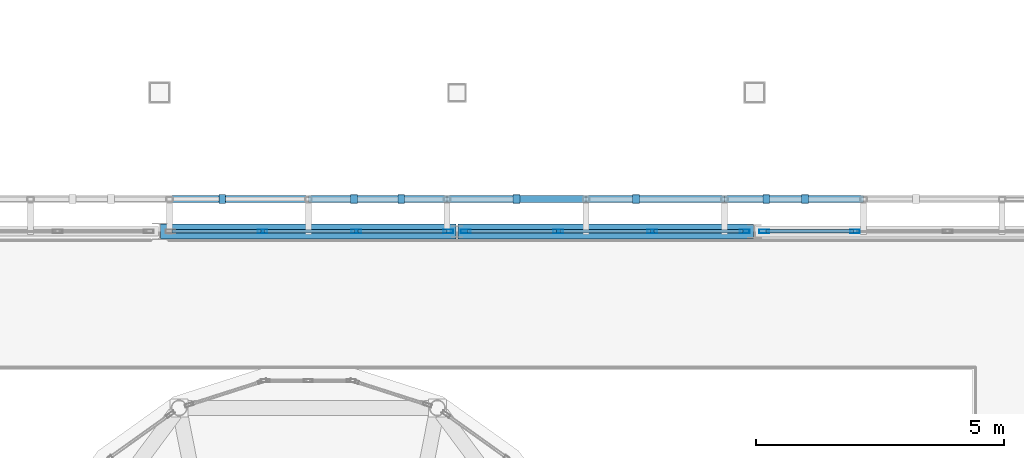
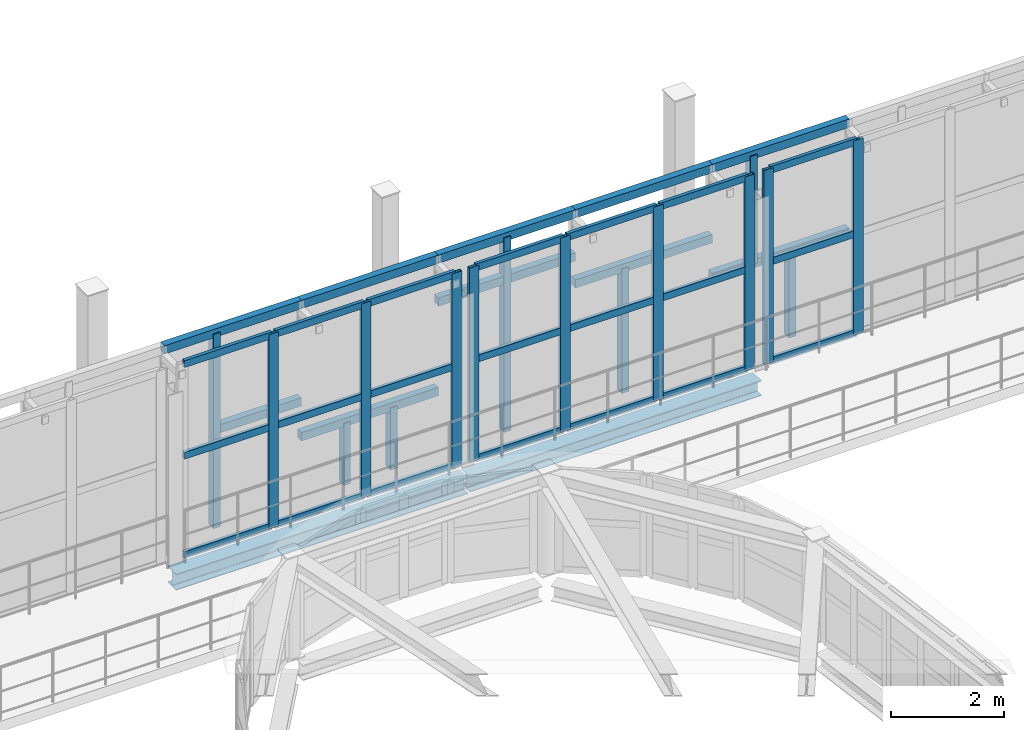
# One storey, part 39 of 78: 47 members, 2 beams, 3 elements without a shape of their own.
"""IFC4 building model written with IfcOpenShell, lengths in metres."""

from ifc_helpers import new_model, si_unit, direction, frame, origin, origin_2d, place, context, subcontext, project, spatial, rectangle, hollow_rectangle, i_section, extrude, material, layer, layer_set, material_profile, profile_set, type_object, element, aggregate, save


model = new_model("IFC4")

# Units and contexts
model_context = context("Model", 3, precision=1e-05, world=origin(), true_north=direction((0.0, 1.0)))
body_context = subcontext(model_context, "Body", "Model", "MODEL_VIEW")
ifc_project = project(units=[si_unit("LENGTHUNIT", "METRE"), si_unit("AREAUNIT", "SQUARE_METRE"), si_unit("VOLUMEUNIT", "CUBIC_METRE"), si_unit("PLANEANGLEUNIT", "RADIAN"), si_unit("MASSUNIT", "GRAM", prefix="KILO")], contexts=[model_context])

# Site, building, storey
site_placement = place(None, origin())
site = spatial("IfcSite", under=ifc_project, at=site_placement, CompositionType="ELEMENT")
building_placement = place(site_placement, origin())
building = spatial("IfcBuilding", under=site, at=building_placement, Name="Vinh Khe Railworks Police Headquarters", CompositionType="ELEMENT")
storey_placement = place(building_placement, frame((0.0, 0.0, 13.199951171875)))
storey = spatial("IfcBuildingStorey", under=building, at=storey_placement, Name="L03", CompositionType="ELEMENT", Elevation=13.199951171875)

# Members
ifc_material_1 = material(Name="Salvaged ironwood timber", Category="wood")
ifc_material_profile_1 = material_profile(ifc_material_1, rectangle(XDim=0.139892578125, YDim=0.179931640625, at=origin_2d()), Name="TIMBER 140x180")
ifc_profile_set_1 = profile_set([ifc_material_profile_1], Name="Salvaged ironwood timber")
member_type_1 = type_object("IfcMemberType", Name="MEM-QUILT-STILE", PredefinedType="CHORD", material=ifc_profile_set_1)
member_1_placement = place(storey_placement, frame((40.39990234375, 59.449951171875, 4.1201171875), z_axis=(1.0, 0.0, 0.0), x_axis=(0.0, 1.0, 0.0)))
element("IfcMember", 1, at=member_1_placement, inside=storey, type_object=member_type_1, Name="Salvaged Timber Quilt Transom N-L03-05-TOP", PredefinedType="CHORD", context=body_context, shape_type="SweptSolid", body=[
    extrude(rectangle(XDim=0.139892578125, YDim=0.179931640625, at=origin_2d()), origin(), (0.0, 0.0, 1.0), 2.800048828125),
])
member_2_placement = place(storey_placement, frame((41.464111328125, 59.449951171875, -0.079833984375), z_axis=(0.0, 0.0, 1.0), x_axis=(1.0, 0.0, 0.0)))
element("IfcMember", 2, at=member_2_placement, inside=storey, type_object=member_type_1, Name="Salvaged Timber Quilt Stile N-L03-05-V1", PredefinedType="POST", context=body_context, shape_type="SweptSolid", body=[
    extrude(rectangle(XDim=0.139892578125, YDim=0.179931640625, at=origin_2d()), origin(), (0.0, 0.0, 1.0), 4.199951171875),
])
member_3_placement = place(storey_placement, frame((41.464111328125, 59.449951171875, 2.01611328125), z_axis=(1.0, 0.0, 0.0), x_axis=(0.0, 1.0, 0.0)))
element("IfcMember", 3, at=member_3_placement, inside=storey, type_object=member_type_1, Name="Salvaged Timber Quilt Transom N-L03-05-M1", PredefinedType="CHORD", context=body_context, shape_type="SweptSolid", body=[
    extrude(rectangle(XDim=0.139892578125, YDim=0.179931640625, at=origin_2d()), origin(), (0.0, 0.0, 1.0), 1.73583984375),
])
for number, where, z_axis, x_axis, name in (
    (4, (43.199951171875, 59.449951171875, 4.1201171875), (1.0, 0.0, 0.0), (0.0, 1.0, 0.0), "Salvaged Timber Quilt Transom N-L03-06-TOP"),
    (5, (43.199951171875, 59.449951171875, 1.260009765625), (1.0, 0.0, 0.0), (0.0, 1.0, 0.0), "Salvaged Timber Quilt Transom N-L03-06-M1"),
):
    element("IfcMember", number, at=place(storey_placement, frame(where, z_axis=z_axis, x_axis=x_axis)), inside=storey, type_object=member_type_1, Name=name, PredefinedType="CHORD", context=body_context, shape_type="SweptSolid", body=[
        extrude(rectangle(XDim=0.139892578125, YDim=0.179931640625, at=origin_2d()), origin(), (0.0, 0.0, 1.0), 2.800048828125),
    ])
for number, where, z_axis, x_axis, name in (
    (6, (44.1240234375, 59.449951171875, -0.079833984375), (0.0, 0.0, 1.0), (1.0, 0.0, 0.0), "Salvaged Timber Quilt Stile N-L03-06-V1"),
    (7, (45.075927734375, 59.449951171875, -0.079833984375), (0.0, 0.0, 1.0), (1.0, 0.0, 0.0), "Salvaged Timber Quilt Stile N-L03-06-V2"),
):
    element("IfcMember", number, at=place(storey_placement, frame(where, z_axis=z_axis, x_axis=x_axis)), inside=storey, type_object=member_type_1, Name=name, PredefinedType="POST", context=body_context, shape_type="SweptSolid", body=[
        extrude(rectangle(XDim=0.139892578125, YDim=0.179931640625, at=origin_2d()), origin(), (0.0, 0.0, 1.0), 1.33984375),
    ])
for number, where, z_axis, x_axis, name in (
    (8, (46.0, 59.449951171875, 4.1201171875), (1.0, 0.0, 0.0), (0.0, 1.0, 0.0), "Salvaged Timber Quilt Transom N-L03-07-TOP"),
    (9, (46.0, 59.449951171875, 3.192138671875), (1.0, 0.0, 0.0), (0.0, 1.0, 0.0), "Salvaged Timber Quilt Transom N-L03-07-M1"),
):
    element("IfcMember", number, at=place(storey_placement, frame(where, z_axis=z_axis, x_axis=x_axis)), inside=storey, type_object=member_type_1, Name=name, PredefinedType="CHORD", context=body_context, shape_type="SweptSolid", body=[
        extrude(rectangle(XDim=0.139892578125, YDim=0.179931640625, at=origin_2d()), origin(), (0.0, 0.0, 1.0), 2.800048828125),
    ])
member_4_placement = place(storey_placement, frame((47.39990234375, 59.449951171875, -0.079833984375), z_axis=(0.0, 0.0, 1.0), x_axis=(1.0, 0.0, 0.0)))
element("IfcMember", 10, at=member_4_placement, inside=storey, type_object=member_type_1, Name="Salvaged Timber Quilt Stile N-L03-07-V1", PredefinedType="POST", context=body_context, shape_type="SweptSolid", body=[
    extrude(rectangle(XDim=0.139892578125, YDim=0.179931640625, at=origin_2d()), origin(), (0.0, 0.0, 1.0), 4.199951171875),
])
for number, where, z_axis, x_axis, name in (
    (11, (48.800048828125, 59.449951171875, 4.1201171875), (1.0, 0.0, 0.0), (0.0, 1.0, 0.0), "Salvaged Timber Quilt Transom N-L03-08-TOP"),
    (12, (48.800048828125, 59.449951171875, 2.60400390625), (1.0, 0.0, 0.0), (0.0, 1.0, 0.0), "Salvaged Timber Quilt Transom N-L03-08-M1"),
):
    element("IfcMember", number, at=place(storey_placement, frame(where, z_axis=z_axis, x_axis=x_axis)), inside=storey, type_object=member_type_1, Name=name, PredefinedType="CHORD", context=body_context, shape_type="SweptSolid", body=[
        extrude(rectangle(XDim=0.139892578125, YDim=0.179931640625, at=origin_2d()), origin(), (0.0, 0.0, 1.0), 2.800048828125),
    ])
member_5_placement = place(storey_placement, frame((49.80810546875, 59.449951171875, -0.079833984375), z_axis=(0.0, 0.0, 1.0), x_axis=(1.0, 0.0, 0.0)))
element("IfcMember", 13, at=member_5_placement, inside=storey, type_object=member_type_1, Name="Salvaged Timber Quilt Stile N-L03-08-V1", PredefinedType="POST", context=body_context, shape_type="SweptSolid", body=[
    extrude(rectangle(XDim=0.139892578125, YDim=0.179931640625, at=origin_2d()), origin(), (0.0, 0.0, 1.0), 2.683837890625),
])
for number, where, z_axis, x_axis, name in (
    (14, (51.60009765625, 59.449951171875, 4.1201171875), (1.0, 0.0, 0.0), (0.0, 1.0, 0.0), "Salvaged Timber Quilt Transom N-L03-09-TOP"),
    (15, (51.60009765625, 59.449951171875, 1.76416015625), (1.0, 0.0, 0.0), (0.0, 1.0, 0.0), "Salvaged Timber Quilt Transom N-L03-09-M1"),
):
    element("IfcMember", number, at=place(storey_placement, frame(where, z_axis=z_axis, x_axis=x_axis)), inside=storey, type_object=member_type_1, Name=name, PredefinedType="CHORD", context=body_context, shape_type="SweptSolid", body=[
        extrude(rectangle(XDim=0.139892578125, YDim=0.179931640625, at=origin_2d()), origin(), (0.0, 0.0, 1.0), 2.7998046875),
    ])
member_6_placement = place(storey_placement, frame((53.22412109375, 59.449951171875, -0.079833984375), z_axis=(0.0, 0.0, 1.0), x_axis=(1.0, 0.0, 0.0)))
element("IfcMember", 16, at=member_6_placement, inside=storey, type_object=member_type_1, Name="Salvaged Timber Quilt Stile N-L03-09-V1", PredefinedType="POST", context=body_context, shape_type="SweptSolid", body=[
    extrude(rectangle(XDim=0.139892578125, YDim=0.179931640625, at=origin_2d()), origin(), (0.0, 0.0, 1.0), 1.843994140625),
])
member_7_placement = place(storey_placement, frame((52.43994140625, 59.449951171875, 1.76416015625), z_axis=(0.0, 0.0, 1.0), x_axis=(1.0, 0.0, 0.0)))
element("IfcMember", 17, at=member_7_placement, inside=storey, type_object=member_type_1, Name="Salvaged Timber Quilt Stile N-L03-09-V2", PredefinedType="POST", context=body_context, shape_type="SweptSolid", body=[
    extrude(rectangle(XDim=0.139892578125, YDim=0.179931640625, at=origin_2d()), origin(), (0.0, 0.0, 1.0), 2.35595703125),
])

# Curtain wall, members
ifc_material_2 = material(Name="Anodised aluminium and low-iron glass", Category="aluminium")
ifc_layer = layer(ifc_material_2, 0.179931640625)
ifc_layer_set = layer_set([ifc_layer], Name="Anodised aluminium and low-iron glass")
curtain_wall_type = type_object("IfcCurtainWallType", Name="CW-CUBE-UNIT", PredefinedType="USERDEFINED", material=ifc_layer_set)
curtain_wall_1_placement = place(storey_placement, origin())
curtain_wall_1 = element("IfcCurtainWall", 18, at=curtain_wall_1_placement, inside=storey, type_object=curtain_wall_type, Name="Entrance Hall Curtain Wall L03 N-3", ObjectType="UNITISED GLAZING", PredefinedType="USERDEFINED")
ifc_material_3 = material(Name="Anodised aluminium 6063-T6", Category="aluminium")
ifc_material_profile_2 = material_profile(ifc_material_3, hollow_rectangle(XDim=0.070068359375, YDim=0.199951171875, WallThickness=0.0048828125, at=origin_2d()), Name="CW-M 70x200x5")
ifc_profile_set_2 = profile_set([ifc_material_profile_2], Name="Anodised aluminium 6063-T6")
member_type_2 = type_object("IfcMemberType", Name="MULL-CWM-03", PredefinedType="MULLION", material=ifc_profile_set_2)
member_8_placement = place(storey_placement, frame((42.276611328125, 58.800048828125, 0.0), z_axis=(0.0, 0.0, 1.0), x_axis=(0.0, 1.0, 0.0)))
member_8 = element("IfcMember", 19, at=member_8_placement, type_object=member_type_2, Name="CW-01 mullion 2", PredefinedType="MULLION", context=body_context, shape_type="SweptSolid", body=[
    extrude(hollow_rectangle(XDim=0.070068359375, YDim=0.199951171875, WallThickness=0.0048828125, at=origin_2d()), origin(), (0.0, 0.0, 1.0), 4.199951171875),
])
member_9_placement = place(storey_placement, frame((44.168212890625, 58.800048828125, 0.0), z_axis=(0.0, 0.0, 1.0), x_axis=(0.0, 1.0, 0.0)))
member_9 = element("IfcMember", 20, at=member_9_placement, type_object=member_type_2, Name="CW-01 mullion 3", PredefinedType="MULLION", context=body_context, shape_type="SweptSolid", body=[
    extrude(hollow_rectangle(XDim=0.070068359375, YDim=0.199951171875, WallThickness=0.0048828125, at=origin_2d()), origin(), (0.0, 0.0, 1.0), 4.199951171875),
])
member_10_placement = place(storey_placement, frame((46.02490234375, 58.800048828125, 0.0), z_axis=(0.0, 0.0, 1.0), x_axis=(0.0, 1.0, 0.0)))
member_10 = element("IfcMember", 21, at=member_10_placement, type_object=member_type_2, Name="CW-01 mullion 4", PredefinedType="MULLION", context=body_context, shape_type="SweptSolid", body=[
    extrude(hollow_rectangle(XDim=0.070068359375, YDim=0.199951171875, WallThickness=0.0048828125, at=origin_2d()), origin(), (0.0, 0.0, 1.0), 4.199951171875),
])

curtain_wall_2_placement = place(storey_placement, origin())
curtain_wall_2 = element("IfcCurtainWall", 22, at=curtain_wall_2_placement, inside=storey, type_object=curtain_wall_type, Name="Entrance Hall Curtain Wall L03 N-4", ObjectType="UNITISED GLAZING", PredefinedType="USERDEFINED")
member_11_placement = place(storey_placement, frame((46.375, 58.800048828125, 0.0), z_axis=(0.0, 0.0, 1.0), x_axis=(0.0, 1.0, 0.0)))
member_11 = element("IfcMember", 23, at=member_11_placement, type_object=member_type_2, Name="CW-01 mullion 1", PredefinedType="MULLION", context=body_context, shape_type="SweptSolid", body=[
    extrude(hollow_rectangle(XDim=0.070068359375, YDim=0.199951171875, WallThickness=0.0048828125, at=origin_2d()), origin(), (0.0, 0.0, 1.0), 4.199951171875),
])
member_12_placement = place(storey_placement, frame((48.239990234375, 58.800048828125, 0.0), z_axis=(0.0, 0.0, 1.0), x_axis=(0.0, 1.0, 0.0)))
member_12 = element("IfcMember", 24, at=member_12_placement, type_object=member_type_2, Name="CW-01 mullion 2", PredefinedType="MULLION", context=body_context, shape_type="SweptSolid", body=[
    extrude(hollow_rectangle(XDim=0.070068359375, YDim=0.199951171875, WallThickness=0.0048828125, at=origin_2d()), origin(), (0.0, 0.0, 1.0), 4.199951171875),
])
member_13_placement = place(storey_placement, frame((50.139892578125, 58.800048828125, 0.0), z_axis=(0.0, 0.0, 1.0), x_axis=(0.0, 1.0, 0.0)))
member_13 = element("IfcMember", 25, at=member_13_placement, type_object=member_type_2, Name="CW-01 mullion 3", PredefinedType="MULLION", context=body_context, shape_type="SweptSolid", body=[
    extrude(hollow_rectangle(XDim=0.070068359375, YDim=0.199951171875, WallThickness=0.0048828125, at=origin_2d()), origin(), (0.0, 0.0, 1.0), 4.199951171875),
])
member_14_placement = place(storey_placement, frame((52.0048828125, 58.800048828125, 0.0), z_axis=(0.0, 0.0, 1.0), x_axis=(0.0, 1.0, 0.0)))
member_14 = element("IfcMember", 26, at=member_14_placement, type_object=member_type_2, Name="CW-01 mullion 4", PredefinedType="MULLION", context=body_context, shape_type="SweptSolid", body=[
    extrude(hollow_rectangle(XDim=0.070068359375, YDim=0.199951171875, WallThickness=0.0048828125, at=origin_2d()), origin(), (0.0, 0.0, 1.0), 4.199951171875),
])

curtain_wall_3_placement = place(storey_placement, origin())
curtain_wall_3 = element("IfcCurtainWall", 27, at=curtain_wall_3_placement, inside=storey, type_object=curtain_wall_type, Name="Entrance Hall Curtain Wall L03 N-5", ObjectType="UNITISED GLAZING", PredefinedType="USERDEFINED")
member_15_placement = place(storey_placement, frame((52.39501953125, 58.800048828125, 0.0), z_axis=(0.0, 0.0, 1.0), x_axis=(0.0, 1.0, 0.0)))
member_15 = element("IfcMember", 28, at=member_15_placement, type_object=member_type_2, Name="CW-01 mullion 1", PredefinedType="MULLION", context=body_context, shape_type="SweptSolid", body=[
    extrude(hollow_rectangle(XDim=0.070068359375, YDim=0.199951171875, WallThickness=0.0048828125, at=origin_2d()), origin(), (0.0, 0.0, 1.0), 4.199951171875),
])
member_16_placement = place(storey_placement, frame((54.22998046875, 58.800048828125, 0.0), z_axis=(0.0, 0.0, 1.0), x_axis=(0.0, 1.0, 0.0)))
member_16 = element("IfcMember", 29, at=member_16_placement, type_object=member_type_2, Name="CW-01 mullion 2", PredefinedType="MULLION", context=body_context, shape_type="SweptSolid", body=[
    extrude(hollow_rectangle(XDim=0.070068359375, YDim=0.199951171875, WallThickness=0.0048828125, at=origin_2d()), origin(), (0.0, 0.0, 1.0), 4.199951171875),
])

# Beams
ifc_material_4 = material(Name="Steel S355JR", Category="steel")
ifc_material_profile_3 = material_profile(ifc_material_4, i_section(OverallWidth=0.300048828125, OverallDepth=0.330078125, WebThickness=0.009521484375, FlangeThickness=0.0166015625, FilletRadius=0.027099609375, at=origin_2d()), Name="HEA 340")
ifc_profile_set_3 = profile_set([ifc_material_profile_3], Name="Steel S355JR")
beam_type_1 = type_object("IfcBeamType", Name="Steel Girder HEA 340", PredefinedType="BEAM", material=ifc_profile_set_3)
beam_1_placement = place(storey_placement, frame((46.219970703125, 58.800048828125, -0.385009765625), z_axis=(1.0, 0.0, 0.0), x_axis=(0.0, 1.0, 0.0)))
element("IfcBeam", 30, at=beam_1_placement, inside=storey, type_object=beam_type_1, Name="Girder BM-L03-EW-SB-16-1064", PredefinedType="BEAM", context=body_context, shape_type="SweptSolid", body=[
    extrude(i_section(OverallWidth=0.300048828125, OverallDepth=0.330078125, WebThickness=0.009521484375, FlangeThickness=0.0166015625, FilletRadius=0.027099609375, at=origin_2d()), origin(), (0.0, 0.0, 1.0), 5.9599609375),
])
ifc_material_profile_4 = material_profile(ifc_material_4, i_section(OverallWidth=0.300048828125, OverallDepth=0.35009765625, WebThickness=0.010009765625, FlangeThickness=0.017578125, FilletRadius=0.027099609375, at=origin_2d()), Name="HEA 360")
ifc_profile_set_4 = profile_set([ifc_material_profile_4], Name="Steel S355JR")
beam_type_2 = type_object("IfcBeamType", Name="Steel Girder HEA 360", PredefinedType="BEAM", material=ifc_profile_set_4)
beam_2_placement = place(storey_placement, frame((40.219970703125, 58.800048828125, -0.39501953125), z_axis=(1.0, 0.0, 0.0), x_axis=(0.0, 1.0, 0.0)))
element("IfcBeam", 31, at=beam_2_placement, inside=storey, type_object=beam_type_2, Name="Girder BM-L03-EW-SB-15-1063", PredefinedType="BEAM", context=body_context, shape_type="SweptSolid", body=[
    extrude(i_section(OverallWidth=0.300048828125, OverallDepth=0.35009765625, WebThickness=0.010009765625, FlangeThickness=0.017578125, FilletRadius=0.027099609375, at=origin_2d()), origin(), (0.0, 0.0, 1.0), 5.9599609375),
])

# Member
ifc_material_profile_5 = material_profile(ifc_material_3, hollow_rectangle(XDim=0.070068359375, YDim=0.14990234375, WallThickness=0.0048828125, at=origin_2d()), Name="CW-T 70x150x5")
ifc_profile_set_5 = profile_set([ifc_material_profile_5], Name="Anodised aluminium 6063-T6")
member_type_3 = type_object("IfcMemberType", Name="TRAN-CWT-03", PredefinedType="USERDEFINED", material=ifc_profile_set_5)
member_17_placement = place(storey_placement, frame((40.455078125, 58.800048828125, 0.03515625), z_axis=(1.0, 0.0, 0.0), x_axis=(0.0, 1.0, 0.0)))
member_17 = element("IfcMember", 32, at=member_17_placement, type_object=member_type_3, Name="CW-01 transom 1.1", ObjectType="TRANSOM", PredefinedType="USERDEFINED", context=body_context, shape_type="SweptSolid", body=[
    extrude(hollow_rectangle(XDim=0.070068359375, YDim=0.14990234375, WallThickness=0.0048828125, at=origin_2d()), origin(), (0.0, 0.0, 1.0), 1.78662109375),
])

member_18_placement = place(storey_placement, frame((40.455078125, 58.800048828125, 2.18408203125), z_axis=(1.0, 0.0, 0.0), x_axis=(0.0, 1.0, 0.0)))
member_18 = element("IfcMember", 33, at=member_18_placement, type_object=member_type_3, Name="CW-01 transom 1.2", ObjectType="TRANSOM", PredefinedType="USERDEFINED", context=body_context, shape_type="SweptSolid", body=[
    extrude(hollow_rectangle(XDim=0.070068359375, YDim=0.14990234375, WallThickness=0.0048828125, at=origin_2d()), origin(), (0.0, 0.0, 1.0), 1.78662109375),
])

member_19_placement = place(storey_placement, frame((40.455078125, 58.800048828125, 4.1650390625), z_axis=(1.0, 0.0, 0.0), x_axis=(0.0, 1.0, 0.0)))
member_19 = element("IfcMember", 34, at=member_19_placement, type_object=member_type_3, Name="CW-01 transom 1.3", ObjectType="TRANSOM", PredefinedType="USERDEFINED", context=body_context, shape_type="SweptSolid", body=[
    extrude(hollow_rectangle(XDim=0.070068359375, YDim=0.14990234375, WallThickness=0.0048828125, at=origin_2d()), origin(), (0.0, 0.0, 1.0), 1.78662109375),
])

member_20_placement = place(storey_placement, frame((42.311767578125, 58.800048828125, 0.03515625), z_axis=(1.0, 0.0, 0.0), x_axis=(0.0, 1.0, 0.0)))
member_20 = element("IfcMember", 35, at=member_20_placement, type_object=member_type_3, Name="CW-01 transom 2.1", ObjectType="TRANSOM", PredefinedType="USERDEFINED", context=body_context, shape_type="SweptSolid", body=[
    extrude(hollow_rectangle(XDim=0.070068359375, YDim=0.14990234375, WallThickness=0.0048828125, at=origin_2d()), origin(), (0.0, 0.0, 1.0), 1.821533203125),
])

member_21_placement = place(storey_placement, frame((42.311767578125, 58.800048828125, 2.18408203125), z_axis=(1.0, 0.0, 0.0), x_axis=(0.0, 1.0, 0.0)))
member_21 = element("IfcMember", 36, at=member_21_placement, type_object=member_type_3, Name="CW-01 transom 2.2", ObjectType="TRANSOM", PredefinedType="USERDEFINED", context=body_context, shape_type="SweptSolid", body=[
    extrude(hollow_rectangle(XDim=0.070068359375, YDim=0.14990234375, WallThickness=0.0048828125, at=origin_2d()), origin(), (0.0, 0.0, 1.0), 1.821533203125),
])

member_22_placement = place(storey_placement, frame((42.311767578125, 58.800048828125, 4.1650390625), z_axis=(1.0, 0.0, 0.0), x_axis=(0.0, 1.0, 0.0)))
member_22 = element("IfcMember", 37, at=member_22_placement, type_object=member_type_3, Name="CW-01 transom 2.3", ObjectType="TRANSOM", PredefinedType="USERDEFINED", context=body_context, shape_type="SweptSolid", body=[
    extrude(hollow_rectangle(XDim=0.070068359375, YDim=0.14990234375, WallThickness=0.0048828125, at=origin_2d()), origin(), (0.0, 0.0, 1.0), 1.821533203125),
])

member_23_placement = place(storey_placement, frame((44.203369140625, 58.800048828125, 0.03515625), z_axis=(1.0, 0.0, 0.0), x_axis=(0.0, 1.0, 0.0)))
member_23 = element("IfcMember", 38, at=member_23_placement, type_object=member_type_3, Name="CW-01 transom 3.1", ObjectType="TRANSOM", PredefinedType="USERDEFINED", context=body_context, shape_type="SweptSolid", body=[
    extrude(hollow_rectangle(XDim=0.070068359375, YDim=0.14990234375, WallThickness=0.0048828125, at=origin_2d()), origin(), (0.0, 0.0, 1.0), 1.78662109375),
])

member_24_placement = place(storey_placement, frame((44.203369140625, 58.800048828125, 2.18408203125), z_axis=(1.0, 0.0, 0.0), x_axis=(0.0, 1.0, 0.0)))
member_24 = element("IfcMember", 39, at=member_24_placement, type_object=member_type_3, Name="CW-01 transom 3.2", ObjectType="TRANSOM", PredefinedType="USERDEFINED", context=body_context, shape_type="SweptSolid", body=[
    extrude(hollow_rectangle(XDim=0.070068359375, YDim=0.14990234375, WallThickness=0.0048828125, at=origin_2d()), origin(), (0.0, 0.0, 1.0), 1.78662109375),
])

member_25_placement = place(storey_placement, frame((44.203369140625, 58.800048828125, 4.1650390625), z_axis=(1.0, 0.0, 0.0), x_axis=(0.0, 1.0, 0.0)))
member_25 = element("IfcMember", 40, at=member_25_placement, type_object=member_type_3, Name="CW-01 transom 3.3", ObjectType="TRANSOM", PredefinedType="USERDEFINED", context=body_context, shape_type="SweptSolid", body=[
    extrude(hollow_rectangle(XDim=0.070068359375, YDim=0.14990234375, WallThickness=0.0048828125, at=origin_2d()), origin(), (0.0, 0.0, 1.0), 1.78662109375),
])

aggregate(curtain_wall_1, [member_8, member_9, member_10, member_17, member_18, member_19, member_20, member_21, member_22, member_23, member_24, member_25])

member_26_placement = place(storey_placement, frame((46.409912109375, 58.800048828125, 0.03515625), z_axis=(1.0, 0.0, 0.0), x_axis=(0.0, 1.0, 0.0)))
member_26 = element("IfcMember", 41, at=member_26_placement, type_object=member_type_3, Name="CW-01 transom 1.1", ObjectType="TRANSOM", PredefinedType="USERDEFINED", context=body_context, shape_type="SweptSolid", body=[
    extrude(hollow_rectangle(XDim=0.070068359375, YDim=0.14990234375, WallThickness=0.0048828125, at=origin_2d()), origin(), (0.0, 0.0, 1.0), 1.795166015625),
])

member_27_placement = place(storey_placement, frame((46.409912109375, 58.800048828125, 2.18408203125), z_axis=(1.0, 0.0, 0.0), x_axis=(0.0, 1.0, 0.0)))
member_27 = element("IfcMember", 42, at=member_27_placement, type_object=member_type_3, Name="CW-01 transom 1.2", ObjectType="TRANSOM", PredefinedType="USERDEFINED", context=body_context, shape_type="SweptSolid", body=[
    extrude(hollow_rectangle(XDim=0.070068359375, YDim=0.14990234375, WallThickness=0.0048828125, at=origin_2d()), origin(), (0.0, 0.0, 1.0), 1.795166015625),
])

member_28_placement = place(storey_placement, frame((46.409912109375, 58.800048828125, 4.1650390625), z_axis=(1.0, 0.0, 0.0), x_axis=(0.0, 1.0, 0.0)))
member_28 = element("IfcMember", 43, at=member_28_placement, type_object=member_type_3, Name="CW-01 transom 1.3", ObjectType="TRANSOM", PredefinedType="USERDEFINED", context=body_context, shape_type="SweptSolid", body=[
    extrude(hollow_rectangle(XDim=0.070068359375, YDim=0.14990234375, WallThickness=0.0048828125, at=origin_2d()), origin(), (0.0, 0.0, 1.0), 1.795166015625),
])

member_29_placement = place(storey_placement, frame((48.27490234375, 58.800048828125, 0.03515625), z_axis=(1.0, 0.0, 0.0), x_axis=(0.0, 1.0, 0.0)))
member_29 = element("IfcMember", 44, at=member_29_placement, type_object=member_type_3, Name="CW-01 transom 2.1", ObjectType="TRANSOM", PredefinedType="USERDEFINED", context=body_context, shape_type="SweptSolid", body=[
    extrude(hollow_rectangle(XDim=0.070068359375, YDim=0.14990234375, WallThickness=0.0048828125, at=origin_2d()), origin(), (0.0, 0.0, 1.0), 1.830078125),
])

member_30_placement = place(storey_placement, frame((48.27490234375, 58.800048828125, 2.18408203125), z_axis=(1.0, 0.0, 0.0), x_axis=(0.0, 1.0, 0.0)))
member_30 = element("IfcMember", 45, at=member_30_placement, type_object=member_type_3, Name="CW-01 transom 2.2", ObjectType="TRANSOM", PredefinedType="USERDEFINED", context=body_context, shape_type="SweptSolid", body=[
    extrude(hollow_rectangle(XDim=0.070068359375, YDim=0.14990234375, WallThickness=0.0048828125, at=origin_2d()), origin(), (0.0, 0.0, 1.0), 1.830078125),
])

member_31_placement = place(storey_placement, frame((48.27490234375, 58.800048828125, 4.1650390625), z_axis=(1.0, 0.0, 0.0), x_axis=(0.0, 1.0, 0.0)))
member_31 = element("IfcMember", 46, at=member_31_placement, type_object=member_type_3, Name="CW-01 transom 2.3", ObjectType="TRANSOM", PredefinedType="USERDEFINED", context=body_context, shape_type="SweptSolid", body=[
    extrude(hollow_rectangle(XDim=0.070068359375, YDim=0.14990234375, WallThickness=0.0048828125, at=origin_2d()), origin(), (0.0, 0.0, 1.0), 1.830078125),
])

member_32_placement = place(storey_placement, frame((50.175048828125, 58.800048828125, 0.03515625), z_axis=(1.0, 0.0, 0.0), x_axis=(0.0, 1.0, 0.0)))
member_32 = element("IfcMember", 47, at=member_32_placement, type_object=member_type_3, Name="CW-01 transom 3.1", ObjectType="TRANSOM", PredefinedType="USERDEFINED", context=body_context, shape_type="SweptSolid", body=[
    extrude(hollow_rectangle(XDim=0.070068359375, YDim=0.14990234375, WallThickness=0.0048828125, at=origin_2d()), origin(), (0.0, 0.0, 1.0), 1.794921875),
])

member_33_placement = place(storey_placement, frame((50.175048828125, 58.800048828125, 2.18408203125), z_axis=(1.0, 0.0, 0.0), x_axis=(0.0, 1.0, 0.0)))
member_33 = element("IfcMember", 48, at=member_33_placement, type_object=member_type_3, Name="CW-01 transom 3.2", ObjectType="TRANSOM", PredefinedType="USERDEFINED", context=body_context, shape_type="SweptSolid", body=[
    extrude(hollow_rectangle(XDim=0.070068359375, YDim=0.14990234375, WallThickness=0.0048828125, at=origin_2d()), origin(), (0.0, 0.0, 1.0), 1.794921875),
])

member_34_placement = place(storey_placement, frame((50.175048828125, 58.800048828125, 4.1650390625), z_axis=(1.0, 0.0, 0.0), x_axis=(0.0, 1.0, 0.0)))
member_34 = element("IfcMember", 49, at=member_34_placement, type_object=member_type_3, Name="CW-01 transom 3.3", ObjectType="TRANSOM", PredefinedType="USERDEFINED", context=body_context, shape_type="SweptSolid", body=[
    extrude(hollow_rectangle(XDim=0.070068359375, YDim=0.14990234375, WallThickness=0.0048828125, at=origin_2d()), origin(), (0.0, 0.0, 1.0), 1.794921875),
])

aggregate(curtain_wall_2, [member_11, member_12, member_13, member_14, member_26, member_27, member_28, member_29, member_30, member_31, member_32, member_33, member_34])

member_35_placement = place(storey_placement, frame((52.429931640625, 58.800048828125, 0.03515625), z_axis=(1.0, 0.0, 0.0), x_axis=(0.0, 1.0, 0.0)))
member_35 = element("IfcMember", 50, at=member_35_placement, type_object=member_type_3, Name="CW-01 transom 1.1", ObjectType="TRANSOM", PredefinedType="USERDEFINED", context=body_context, shape_type="SweptSolid", body=[
    extrude(hollow_rectangle(XDim=0.070068359375, YDim=0.14990234375, WallThickness=0.0048828125, at=origin_2d()), origin(), (0.0, 0.0, 1.0), 1.76513671875),
])

member_36_placement = place(storey_placement, frame((52.429931640625, 58.800048828125, 2.18408203125), z_axis=(1.0, 0.0, 0.0), x_axis=(0.0, 1.0, 0.0)))
member_36 = element("IfcMember", 51, at=member_36_placement, type_object=member_type_3, Name="CW-01 transom 1.2", ObjectType="TRANSOM", PredefinedType="USERDEFINED", context=body_context, shape_type="SweptSolid", body=[
    extrude(hollow_rectangle(XDim=0.070068359375, YDim=0.14990234375, WallThickness=0.0048828125, at=origin_2d()), origin(), (0.0, 0.0, 1.0), 1.76513671875),
])

member_37_placement = place(storey_placement, frame((52.429931640625, 58.800048828125, 4.1650390625), z_axis=(1.0, 0.0, 0.0), x_axis=(0.0, 1.0, 0.0)))
member_37 = element("IfcMember", 52, at=member_37_placement, type_object=member_type_3, Name="CW-01 transom 1.3", ObjectType="TRANSOM", PredefinedType="USERDEFINED", context=body_context, shape_type="SweptSolid", body=[
    extrude(hollow_rectangle(XDim=0.070068359375, YDim=0.14990234375, WallThickness=0.0048828125, at=origin_2d()), origin(), (0.0, 0.0, 1.0), 1.76513671875),
])

aggregate(curtain_wall_3, [member_15, member_16, member_35, member_36, member_37])

save(model, "model.ifc")
